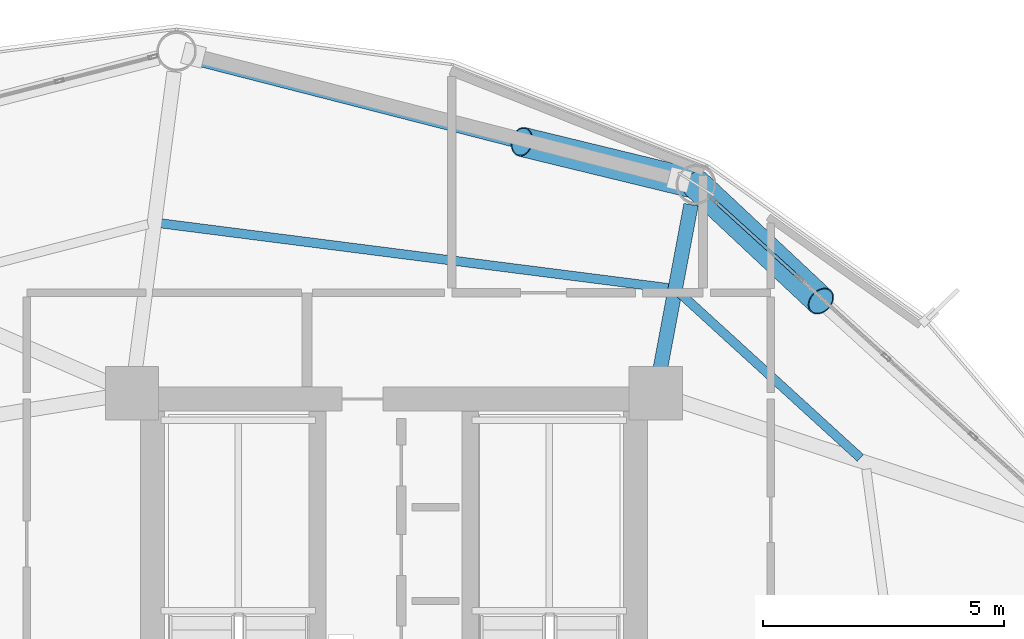
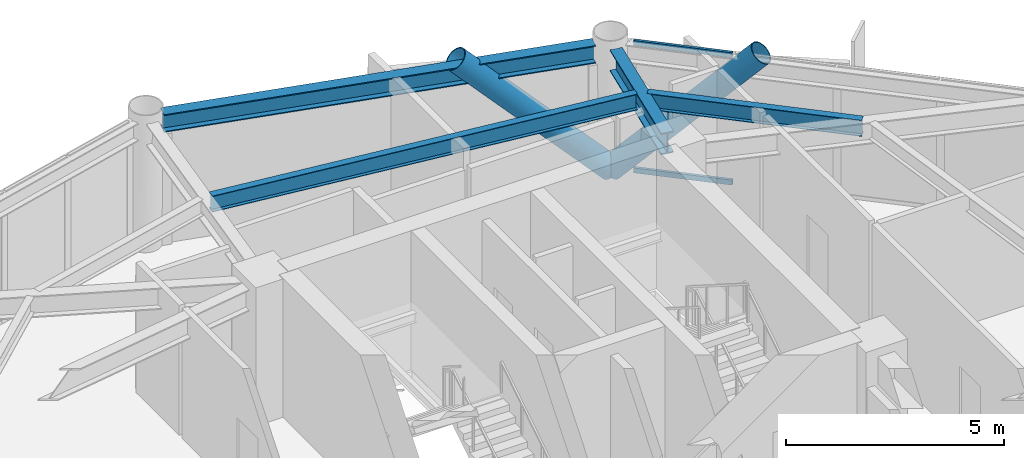
# One storey, part 17 of 25: 4 beams, 4 members, 1 element without a shape of its own.
"""IFC4 building model written with IfcOpenShell, lengths in metres."""

from ifc_helpers import new_model, si_unit, direction, frame, origin, origin_2d, place, context, subcontext, project, spatial, hollow_rectangle, hollow_circle, i_section, extrude, material, layer, layer_set, material_profile, profile_set, type_object, element, aggregate, save


model = new_model("IFC4")

# Units and contexts
model_context = context("Model", 3, precision=1e-05, world=origin(), true_north=direction((0.0, 1.0)))
body_context = subcontext(model_context, "Body", "Model", "MODEL_VIEW")
ifc_project = project(units=[si_unit("LENGTHUNIT", "METRE"), si_unit("AREAUNIT", "SQUARE_METRE"), si_unit("VOLUMEUNIT", "CUBIC_METRE"), si_unit("PLANEANGLEUNIT", "RADIAN"), si_unit("MASSUNIT", "GRAM", prefix="KILO")], contexts=[model_context])

# Site, building, storey
site_placement = place(None, origin())
site = spatial("IfcSite", under=ifc_project, at=site_placement, CompositionType="ELEMENT")
building_placement = place(site_placement, origin())
building = spatial("IfcBuilding", under=site, at=building_placement, Name="Varnakorn Sky Granary", CompositionType="ELEMENT")
storey_placement = place(building_placement, frame((0.0, 0.0, 99.300048828125)))
storey = spatial("IfcBuildingStorey", under=building, at=storey_placement, Name="L24", CompositionType="ELEMENT", Elevation=99.300048828125)

# Beams
ifc_material_1 = material(Name="Steel S355JR", Category="steel")
ifc_material_profile_1 = material_profile(ifc_material_1, i_section(OverallWidth=0.300048828125, OverallDepth=0.60009765625, WebThickness=0.015380859375, FlangeThickness=0.030029296875, at=origin_2d()), Name="HE 600 B")
ifc_profile_set_1 = profile_set([ifc_material_profile_1], Name="Steel S355JR")
beam_type_1 = type_object("IfcBeamType", Name="BM-RAD-Z2", PredefinedType="BEAM", material=ifc_profile_set_1)
beam_1_placement = place(storey_placement, frame((8.497314453125, 13.03271484375, 3.33984375), z_axis=(0.184247041601, 0.982879966049, 0.0), x_axis=(-0.982879966049, 0.184247041601, 0.0)))
element("IfcBeam", 1, at=beam_1_placement, inside=storey, type_object=beam_type_1, Name="Radial Floor Girder RG03 L24", PredefinedType="BEAM", context=body_context, shape_type="SweptSolid", body=[
    extrude(i_section(OverallWidth=0.300048828125, OverallDepth=0.60009765625, WebThickness=0.015380859375, FlangeThickness=0.030029296875, at=origin_2d()), origin(), (0.0, 0.0, 1.0), 3.552490234375),
])
ifc_material_profile_2 = material_profile(ifc_material_1, i_section(OverallWidth=0.18994140625, OverallDepth=0.449951171875, WebThickness=0.009521484375, FlangeThickness=0.0146484375, at=origin_2d()), Name="IPE 450")
ifc_profile_set_2 = profile_set([ifc_material_profile_2], Name="Steel S355JR")
beam_type_2 = type_object("IfcBeamType", Name="BM-SEC-Z2", PredefinedType="BEAM", material=ifc_profile_set_2)
beam_2_placement = place(storey_placement, frame((12.6572265625, 11.281005859375, 3.4150390625), z_axis=(-0.738671819361, 0.674065236666, 0.0), x_axis=(-0.674065236666, -0.738671819361, 0.0)))
element("IfcBeam", 2, at=beam_2_placement, inside=storey, type_object=beam_type_2, Name="Secondary Floor Chord Beam MSB02 L24", PredefinedType="BEAM", context=body_context, shape_type="SweptSolid", body=[
    extrude(i_section(OverallWidth=0.18994140625, OverallDepth=0.449951171875, WebThickness=0.009521484375, FlangeThickness=0.0146484375, at=origin_2d()), origin(), (0.0, 0.0, 1.0), 5.048583984375),
])
beam_3_placement = place(storey_placement, frame((8.685791015625, 14.79638671875, 3.4150390625), z_axis=(-0.991961543299, 0.126539703715, 0.0), x_axis=(-0.126539703715, -0.991961543299, 0.0)))
element("IfcBeam", 3, at=beam_3_placement, inside=storey, type_object=beam_type_2, Name="Secondary Floor Chord Beam MSB03 L24", PredefinedType="BEAM", context=body_context, shape_type="SweptSolid", body=[
    extrude(i_section(OverallWidth=0.18994140625, OverallDepth=0.449951171875, WebThickness=0.009521484375, FlangeThickness=0.0146484375, at=origin_2d()), origin(), (0.0, 0.0, 1.0), 10.59033203125),
])
ifc_material_profile_3 = material_profile(ifc_material_1, i_section(OverallWidth=0.300048828125, OverallDepth=0.5, WebThickness=0.014404296875, FlangeThickness=0.028076171875, at=origin_2d()), Name="HE 500 B")
ifc_profile_set_3 = profile_set([ifc_material_profile_3], Name="Steel S355JR")
beam_type_3 = type_object("IfcBeamType", Name="BM-SPD-Z2", PredefinedType="SPANDREL", material=ifc_profile_set_3)
beam_4_placement = place(storey_placement, frame((8.8447265625, 17.00634765625, 3.389892578125), z_axis=(-0.968637656568, 0.248477544818, 0.0), x_axis=(-0.248477544818, -0.968637656568, 0.0)))
element("IfcBeam", 4, at=beam_4_placement, inside=storey, type_object=beam_type_3, Name="Perimeter Spandrel Ring Beam RB03 L24", PredefinedType="SPANDREL", context=body_context, shape_type="SweptSolid", body=[
    extrude(i_section(OverallWidth=0.300048828125, OverallDepth=0.5, WebThickness=0.014404296875, FlangeThickness=0.028076171875, at=origin_2d()), origin(), (0.0, 0.0, 1.0), 10.288330078125),
])

# Curtain wall, members
ifc_material_2 = material(Name="Anodised Bronze Aluminium Alloy 6063-T6", Category="aluminium")
ifc_layer = layer(ifc_material_2, 0.18994140625, Name="Anodised Bronze Aluminium Alloy 6063-T6")
ifc_layer_set = layer_set([ifc_layer], Name="Anodised Bronze Aluminium Alloy 6063-T6")
curtain_wall_type = type_object("IfcCurtainWallType", Name="CW-FRM-1", PredefinedType="USERDEFINED", material=ifc_layer_set)
curtain_wall_placement = place(storey_placement, origin())
curtain_wall = element("IfcCurtainWall", 5, at=curtain_wall_placement, inside=storey, type_object=curtain_wall_type, Name="Unitised Curtain Wall CW3 CW-L24-B02", ObjectType="CURTAIN WALL", PredefinedType="USERDEFINED")
ifc_material_profile_4 = material_profile(ifc_material_2, hollow_rectangle(XDim=0.070068359375, YDim=0.139892578125, WallThickness=0.00341796875, at=origin_2d()), Name="ALU TRAN 70x140")
ifc_profile_set_4 = profile_set([ifc_material_profile_4], Name="Anodised Bronze Aluminium Alloy 6063-T6")
member_type_1 = type_object("IfcMemberType", Name="CW-FRM-1-TRAN", PredefinedType="USERDEFINED", material=ifc_profile_set_4)
member_1_placement = place(storey_placement, frame((9.654296875, 16.5888671875, 0.034912109375), z_axis=(0.739683254205, -0.672955186806, 0.0), x_axis=(0.672955186806, 0.739683254205, 0.0)))
member_1 = element("IfcMember", 6, at=member_1_placement, type_object=member_type_1, Name="CW3 transom 1.1", ObjectType="TRANSOM", PredefinedType="USERDEFINED", context=body_context, shape_type="SweptSolid", body=[
    extrude(hollow_rectangle(XDim=0.070068359375, YDim=0.139892578125, WallThickness=0.00341796875, at=origin_2d()), origin(), (0.0, 0.0, 1.0), 2.3232421875),
])
member_2_placement = place(storey_placement, frame((9.654296875, 16.5888671875, 3.60498046875), z_axis=(0.739683254205, -0.672955186806, 0.0), x_axis=(0.672955186806, 0.739683254205, 0.0)))
member_2 = element("IfcMember", 7, at=member_2_placement, type_object=member_type_1, Name="CW3 transom 1.2", ObjectType="TRANSOM", PredefinedType="USERDEFINED", context=body_context, shape_type="SweptSolid", body=[
    extrude(hollow_rectangle(XDim=0.070068359375, YDim=0.139892578125, WallThickness=0.00341796875, at=origin_2d()), origin(), (0.0, 0.0, 1.0), 2.3232421875),
])
aggregate(curtain_wall, [member_1, member_2])

# Members
ifc_material_3 = material(Name="Steel S460M", Category="steel")
ifc_material_profile_5 = material_profile(ifc_material_3, hollow_circle(Radius=0.304931640625, WallThickness=0.022216796875, at=origin_2d()), Name="CHS 610x22")
ifc_profile_set_5 = profile_set([ifc_material_profile_5], Name="Steel S460M")
member_type_2 = type_object("IfcMemberType", Name="MB-DIAG-T1", PredefinedType="BRACE", material=ifc_profile_set_5)
member_3_placement = place(storey_placement, frame((9.257568359375, 16.94970703125, 0.0), z_axis=(0.497998115844, -0.467076202782, 0.730641976218), x_axis=(0.684099330985, 0.729388857432, 0.0)))
element("IfcMember", 8, at=member_3_placement, inside=storey, type_object=member_type_2, Name="Perimeter CHS Diagrid Brace DG02 L24", PredefinedType="BRACE", context=body_context, shape_type="SweptSolid", body=[
    extrude(hollow_circle(Radius=0.304931640625, WallThickness=0.022216796875, at=origin_2d()), origin(), (0.0, 0.0, 1.0), 5.187255859375),
])
member_4_placement = place(storey_placement, frame((9.257568359375, 16.94970703125, 0.0), z_axis=(-0.680041440888, 0.165190389931, 0.714321897851), x_axis=(-0.236047886364, -0.971741424116, 0.0)))
element("IfcMember", 9, at=member_4_placement, inside=storey, type_object=member_type_2, Name="Perimeter CHS Diagrid Brace DG03 L24", PredefinedType="BRACE", context=body_context, shape_type="SweptSolid", body=[
    extrude(hollow_circle(Radius=0.304931640625, WallThickness=0.022216796875, at=origin_2d()), origin(), (0.0, 0.0, 1.0), 5.3056640625),
])

save(model, "model.ifc")
